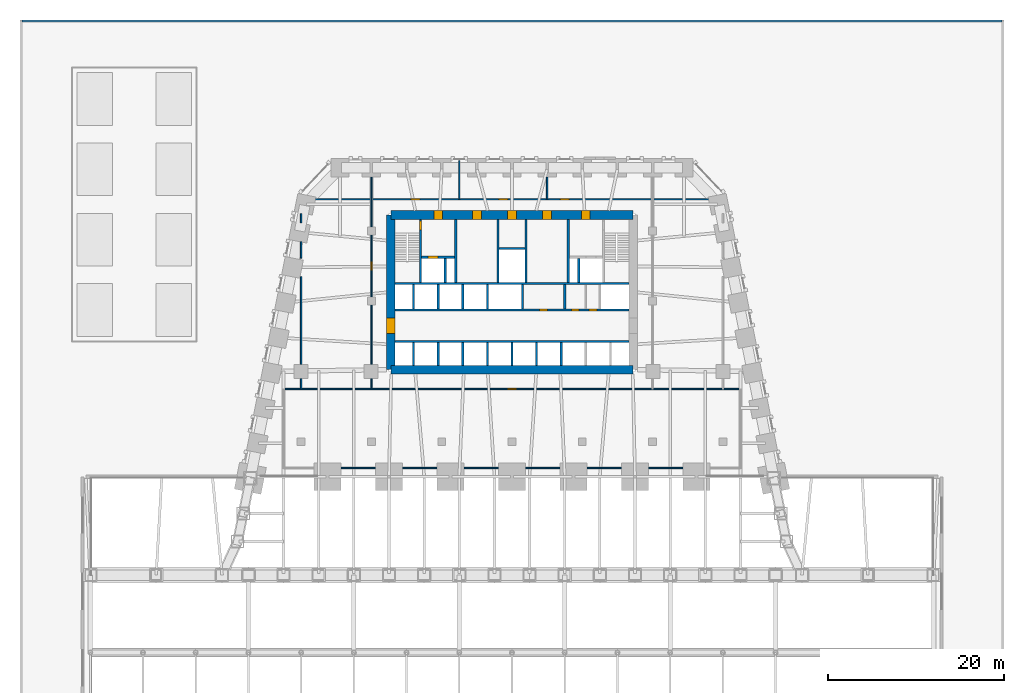
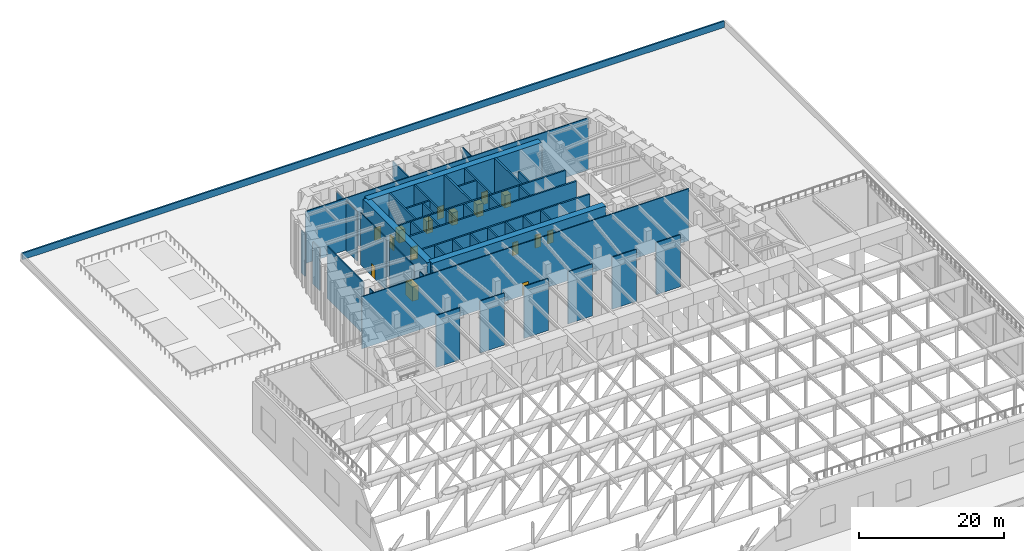
# One storey, part 15 of 20: 47 walls, 16 doors, 16 openings.
"""IFC4 building model written with IfcOpenShell, lengths in metres."""

import ifcopenshell
import ifcopenshell.guid

model = None  # the IFC model being written
_history = None  # IfcOwnerHistory: only IFC2X3 demands one
_inside = {}  # id of a spatial element -> (the spatial element, [elements in it])
_under = {}  # id of a project, library or spatial element -> (it, [spatial elements below it])
_declared = {}  # id of a project -> (the project, [libraries it declares])
_typed = {}  # id of a type object -> (the type object, [elements of that type])
_made_of = {}  # id of a material, layer set ... -> (it, [elements and type objects made of it])


def new_model(schema):
    """Start an empty IFC model of exactly this schema.

    Asked for "IFC4X3", IfcOpenShell would pick the latest addendum, in which some entities
    have other attributes; the version numbers below select the first issue.
    IFC2X3 requires an IfcOwnerHistory on every rooted entity: one is made here for all.
    """
    global model, _history
    if schema == "IFC4X3":
        model = ifcopenshell.file(schema_version=(4, 3, 0, 0))
    else:
        model = ifcopenshell.file(schema=schema)
    _inside.clear()
    _under.clear()
    _declared.clear()
    _typed.clear()
    _made_of.clear()
    _history = None
    if model.schema == "IFC2X3":
        org = make("IfcOrganization", Name="unknown")
        user = make(
            "IfcPersonAndOrganization",
            ThePerson=make("IfcPerson", FamilyName="unknown"),
            TheOrganization=org,
        )
        app = make(
            "IfcApplication",
            ApplicationDeveloper=org,
            Version="unknown",
            ApplicationFullName="unknown",
            ApplicationIdentifier="unknown",
        )
        _history = make(
            "IfcOwnerHistory",
            OwningUser=user,
            OwningApplication=app,
            ChangeAction="ADDED",
            CreationDate=0,
        )
    return model


def make(cls, **values):
    """One entity of the class cls with the attributes given. An attribute that is None is left unset."""
    return model.create_entity(
        cls, **{name: value for name, value in values.items() if value is not None}
    )


def rooted(cls, **values):
    """An entity with a GlobalId (a new one), such as an element, a storey or a relation."""
    return make(cls, GlobalId=ifcopenshell.guid.new(), OwnerHistory=_history, **values)


def si_unit(unit_type, name, prefix=None):
    """IfcSIUnit, for example si_unit("LENGTHUNIT", "METRE", prefix="MILLI")."""
    return make("IfcSIUnit", UnitType=unit_type, Prefix=prefix, Name=name)


def assignment(units):
    """IfcUnitAssignment: the units of a project."""
    return None if units is None else make("IfcUnitAssignment", Units=units)


def point(xyz):
    """IfcCartesianPoint."""
    return None if xyz is None else make("IfcCartesianPoint", Coordinates=xyz)


def direction(xyz):
    """IfcDirection."""
    return None if xyz is None else make("IfcDirection", DirectionRatios=xyz)


def frame(location, z_axis=None, x_axis=None):
    """IfcAxis2Placement3D, a coordinate frame: its origin and axes. An axis left out is left unset."""
    return make(
        "IfcAxis2Placement3D",
        Location=point(location),
        Axis=direction(z_axis),
        RefDirection=direction(x_axis),
    )


def frame_2d(location, x_axis=None):
    """IfcAxis2Placement2D, a coordinate frame in the plane: its origin and x axis."""
    return make(
        "IfcAxis2Placement2D", Location=point(location), RefDirection=direction(x_axis)
    )


def origin():
    """The frame at (0, 0, 0) with its axes left unset."""
    return frame((0.0, 0.0, 0.0))


def place(relative_to, where):
    """IfcLocalPlacement: puts the frame where relative to a parent placement (None: the world)."""
    return make(
        "IfcLocalPlacement", PlacementRelTo=relative_to, RelativePlacement=where
    )


def context(
    kind, dimensions, precision=None, world=None, true_north=None, identifier=None
):
    """IfcGeometricRepresentationContext, for example the 3D "Model" context."""
    return make(
        "IfcGeometricRepresentationContext",
        ContextIdentifier=identifier,
        ContextType=kind,
        CoordinateSpaceDimension=dimensions,
        Precision=precision,
        WorldCoordinateSystem=world,
        TrueNorth=true_north,
    )


def subcontext(parent, identifier, kind, view, scale=None):
    """IfcGeometricRepresentationSubContext, for example "Body" below "Model"."""
    return make(
        "IfcGeometricRepresentationSubContext",
        ContextIdentifier=identifier,
        ContextType=kind,
        ParentContext=parent,
        TargetScale=scale,
        TargetView=view,
    )


def project(units=None, contexts=None):
    """IfcProject with its units and contexts."""
    return rooted(
        "IfcProject",
        Name="project",
        RepresentationContexts=contexts,
        UnitsInContext=assignment(units),
    )


def spatial(cls, under=None, at=None, **own):
    """A site, building, storey or space (cls), placed at a placement, below another one or the project."""
    s = rooted(cls, ObjectPlacement=at, **own)
    if under is not None:
        _under.setdefault(under.id(), (under, []))[1].append(s)
    return s


def polyline(points):
    """IfcPolyline through the points."""
    return make("IfcPolyline", Points=[point(p) for p in points])


def profile(cls, at=None, kind="AREA", **sizes):
    """A parametric profile (cls). Its sizes go by their IFC names, for example OverallWidth=200.0."""
    return make(cls, ProfileType=kind, Position=at, **sizes)


def rectangle(**sizes):
    """IfcRectangleProfileDef."""
    return profile("IfcRectangleProfileDef", **sizes)


def outline(outer, holes=None, kind="AREA"):
    """IfcArbitraryClosedProfileDef: a profile drawn as a closed curve; with holes, ...WithVoids."""
    if holes is None:
        return make("IfcArbitraryClosedProfileDef", ProfileType=kind, OuterCurve=outer)
    return make(
        "IfcArbitraryProfileDefWithVoids",
        ProfileType=kind,
        OuterCurve=outer,
        InnerCurves=holes,
    )


def extrude(swept, where, along, depth):
    """IfcExtrudedAreaSolid: the profile swept, set in the frame where, extruded along a direction by depth."""
    return make(
        "IfcExtrudedAreaSolid",
        SweptArea=swept,
        Position=where,
        ExtrudedDirection=direction(along),
        Depth=depth,
    )


def shape(context_of_items, identifier, shape_type, items):
    """IfcShapeRepresentation: the items that make up one representation, for example the "Body"."""
    return make(
        "IfcShapeRepresentation",
        ContextOfItems=context_of_items,
        RepresentationIdentifier=identifier,
        RepresentationType=shape_type,
        Items=items,
    )


def material(Name=None, Category=None):
    """IfcMaterial."""
    return make("IfcMaterial", Name=Name, Category=Category)


def layer(
    of_material, thickness, ventilated=None, Name=None, Category=None, Priority=None
):
    """IfcMaterialLayer: one layer of a wall or slab, of a material (None: an air gap)."""
    return make(
        "IfcMaterialLayer",
        Material=of_material,
        LayerThickness=thickness,
        IsVentilated=ventilated,
        Name=Name,
        Category=Category,
        Priority=Priority,
    )


def layer_set(layers, Name=None):
    """IfcMaterialLayerSet."""
    return make("IfcMaterialLayerSet", MaterialLayers=layers, LayerSetName=Name)


def made_of(thing, what):
    """Note that an element or type object is made of a material, layer set ...; save() writes the relation."""
    if what is not None:
        _made_of.setdefault(what.id(), (what, []))[1].append(thing)
    return thing


def type_object(cls, material=None, **own):
    """A type object (cls), such as IfcWallType, which elements share."""
    return made_of(rooted(cls, **own), material)


def element(
    cls,
    number,
    at=None,
    inside=None,
    cuts=None,
    type_object=None,
    material=None,
    context=None,
    identifier="Body",
    shape_type=None,
    held_by="IfcProductDefinitionShape",
    body=None,
    shapes=None,
    **own,
):
    """One element of the class cls, such as IfcWall. Its Tag is "e" and its number.

    at: its placement. inside: the storey or other place that contains it. cuts: it is an
    opening in that element (IfcRelVoidsElement). A single representation is given by context,
    identifier, shape_type and body (its items); several are given by shapes. held_by: the class
    of the entity that holds the representations. save() writes the other relations.
    """
    e = rooted(cls, Tag="e%d" % number, ObjectPlacement=at, **own)
    if body is not None:
        shapes = [shape(context, identifier, shape_type, body)]
    if shapes is not None:
        e.Representation = make(held_by, Representations=shapes)
    if inside is not None:
        _inside.setdefault(inside.id(), (inside, []))[1].append(e)
    if cuts is not None:
        rooted(
            "IfcRelVoidsElement", RelatingBuildingElement=cuts, RelatedOpeningElement=e
        )
    if type_object is not None:
        _typed.setdefault(type_object.id(), (type_object, []))[1].append(e)
    return made_of(e, material)


def fill(opening, filler):
    """IfcRelFillsElement: the door or window that sits in an opening."""
    return rooted(
        "IfcRelFillsElement",
        RelatingOpeningElement=opening,
        RelatedBuildingElement=filler,
    )


def aggregate(whole, parts):
    """IfcRelAggregates: a whole, such as a stair, and the parts it consists of."""
    return rooted("IfcRelAggregates", RelatingObject=whole, RelatedObjects=parts)


def save(model, path):
    """Write the relations noted so far, then the file.

    IfcRelAggregates (storeys below a building ...), IfcRelContainedInSpatialStructure (elements
    in a storey), IfcRelDefinesByType, IfcRelAssociatesMaterial and IfcRelDeclares: one each for
    every whole, place, type object, material and project.
    """
    for whole, parts in _under.values():
        aggregate(whole, parts)
    for where, things in _inside.values():
        rooted(
            "IfcRelContainedInSpatialStructure",
            RelatedElements=things,
            RelatingStructure=where,
        )
    for kind, things in _typed.values():
        rooted("IfcRelDefinesByType", RelatedObjects=things, RelatingType=kind)
    for what, things in _made_of.values():
        rooted("IfcRelAssociatesMaterial", RelatedObjects=things, RelatingMaterial=what)
    for by, libraries in _declared.values():
        rooted("IfcRelDeclares", RelatingContext=by, RelatedDefinitions=libraries)
    model.write(path)


model = new_model("IFC4")

# Units and contexts
model_context = context("Model", 3, precision=1e-05, world=origin(), true_north=direction((0.0, 1.0)))
body_context = subcontext(model_context, "Body", "Model", "MODEL_VIEW")
ifc_project = project(units=[si_unit("LENGTHUNIT", "METRE"), si_unit("AREAUNIT", "SQUARE_METRE"), si_unit("VOLUMEUNIT", "CUBIC_METRE"), si_unit("PLANEANGLEUNIT", "RADIAN"), si_unit("MASSUNIT", "GRAM", prefix="KILO")], contexts=[model_context])

# Site, building, storey
site_placement = place(None, origin())
site = spatial("IfcSite", under=ifc_project, at=site_placement, CompositionType="ELEMENT")
building_placement = place(site_placement, origin())
building = spatial("IfcBuilding", under=site, at=building_placement, Name="Isbrekke Arena Tower", CompositionType="ELEMENT")
storey_placement = place(building_placement, frame((0.0, 0.0, 19.0)))
storey = spatial("IfcBuildingStorey", under=building, at=storey_placement, Name="L03", CompositionType="ELEMENT", Elevation=19.0)

# Wall
ifc_material_1 = material(Name="Concrete B65 (C65/80)", Category="concrete")
ifc_layer_1 = layer(ifc_material_1, 1.0)
ifc_layer_set_1 = layer_set([ifc_layer_1], Name="CW1 CORE WALL 1000")
wall_type_1 = type_object("IfcWallType", Name="CW1 CORE WALL 1000", PredefinedType="SHEAR", material=ifc_layer_set_1)
wall_1_placement = place(storey_placement, frame((-13.800048828125, 6.199951171875, 0.0), z_axis=(0.0, 0.0, 1.0), x_axis=(1.0, 0.0, 0.0)))
element("IfcWall", 1, at=wall_1_placement, inside=storey, type_object=wall_type_1, Name="Core wall S L03", PredefinedType="SHEAR", context=body_context, shape_type="SweptSolid", body=[
    extrude(rectangle(XDim=27.60009765625, YDim=1.0, at=frame_2d((13.800048828125, 0.0))), origin(), (0.0, 0.0, 1.0), 9.0),
])

# Wall, openings, doors
wall_2_placement = place(storey_placement, frame((13.800048828125, 23.800048828125, 0.0), z_axis=(0.0, 0.0, 1.0), x_axis=(-1.0, 0.0, 0.0)))
wall_2 = element("IfcWall", 2, at=wall_2_placement, inside=storey, type_object=wall_type_1, Name="Core wall N L03", PredefinedType="SHEAR", context=body_context, shape_type="SweptSolid", body=[
    extrude(rectangle(XDim=27.60009765625, YDim=1.0, at=frame_2d((13.800048828125, 0.0))), origin(), (0.0, 0.0, 1.0), 9.0),
])
opening_1_placement = place(wall_2_placement, frame((21.699951171875, 0.0, 0.0)))
opening_1 = element("IfcOpeningElement", 3, at=opening_1_placement, cuts=wall_2, Name="Opening D3", PredefinedType="OPENING", context=body_context, shape_type="SweptSolid", body=[
    extrude(rectangle(XDim=1.0, YDim=2.10009765625, at=frame_2d((0.5, 1.050048828125))), frame((0.0, 0.514892578125, 0.0), z_axis=(0.0, -1.0, 0.0), x_axis=(1.0, 0.0, 0.0)), (0.0, 0.0, 1.0), 1.02978515625),
])
opening_2_placement = place(wall_2_placement, frame((4.89990234375, 0.0, 0.0)))
opening_2 = element("IfcOpeningElement", 4, at=opening_2_placement, cuts=wall_2, Name="Opening D3", PredefinedType="OPENING", context=body_context, shape_type="SweptSolid", body=[
    extrude(rectangle(XDim=1.0, YDim=2.10009765625, at=frame_2d((0.5, 1.050048828125))), frame((0.0, 0.514892578125, 0.0), z_axis=(0.0, -1.0, 0.0), x_axis=(1.0, 0.0, 0.0)), (0.0, 0.0, 1.0), 1.02978515625),
])
opening_3_placement = place(wall_2_placement, frame((17.300048828125, 0.0, 0.0)))
opening_3 = element("IfcOpeningElement", 5, at=opening_3_placement, cuts=wall_2, Name="Opening D4", PredefinedType="OPENING", context=body_context, shape_type="SweptSolid", body=[
    extrude(rectangle(XDim=1.0, YDim=2.10009765625, at=frame_2d((0.5, 1.050048828125))), frame((0.0, 0.514892578125, 0.0), z_axis=(0.0, -1.0, 0.0), x_axis=(1.0, 0.0, 0.0)), (0.0, 0.0, 1.0), 1.02978515625),
])
opening_4_placement = place(wall_2_placement, frame((13.300048828125, 0.0, 0.0)))
opening_4 = element("IfcOpeningElement", 6, at=opening_4_placement, cuts=wall_2, Name="Opening D4", PredefinedType="OPENING", context=body_context, shape_type="SweptSolid", body=[
    extrude(rectangle(XDim=1.0, YDim=2.10009765625, at=frame_2d((0.5, 1.050048828125))), frame((0.0, 0.514892578125, 0.0), z_axis=(0.0, -1.0, 0.0), x_axis=(1.0, 0.0, 0.0)), (0.0, 0.0, 1.0), 1.02978515625),
])
opening_5_placement = place(wall_2_placement, frame((9.300048828125, 0.0, 0.0)))
opening_5 = element("IfcOpeningElement", 7, at=opening_5_placement, cuts=wall_2, Name="Opening D4", PredefinedType="OPENING", context=body_context, shape_type="SweptSolid", body=[
    extrude(rectangle(XDim=1.0, YDim=2.10009765625, at=frame_2d((0.5, 1.050048828125))), frame((0.0, 0.514892578125, 0.0), z_axis=(0.0, -1.0, 0.0), x_axis=(1.0, 0.0, 0.0)), (0.0, 0.0, 1.0), 1.02978515625),
])
ifc_material_2 = material(Name="Steel fire door", Category="steel")
door_type_1 = type_object("IfcDoorType", Name="D3 FIRE LOBBY DOOR 1000 x 2100", OperationType="SINGLE_SWING_RIGHT", PredefinedType="DOOR", material=ifc_material_2)
door_1_placement = place(opening_1_placement, origin())
door_1 = element("IfcDoor", 8, at=door_1_placement, inside=storey, type_object=door_type_1, Name="D3 fire-fighting lobby door L03", OperationType="SINGLE_SWING_RIGHT", OverallHeight=2.10009765625, OverallWidth=1.0, PredefinedType="DOOR", context=body_context, shape_type="SweptSolid", body=[
    extrude(rectangle(XDim=1.0, YDim=2.10009765625, at=frame_2d((0.5, 1.050048828125))), frame((0.0, 0.499755859375, 0.0), z_axis=(0.0, -1.0, 0.0), x_axis=(1.0, 0.0, 0.0)), (0.0, 0.0, 1.0), 0.99951171875),
])
fill(opening_1, door_1)
door_2_placement = place(opening_2_placement, origin())
door_2 = element("IfcDoor", 9, at=door_2_placement, inside=storey, type_object=door_type_1, Name="D3 fire-fighting lobby door L03", OperationType="SINGLE_SWING_RIGHT", OverallHeight=2.10009765625, OverallWidth=1.0, PredefinedType="DOOR", context=body_context, shape_type="SweptSolid", body=[
    extrude(rectangle(XDim=1.0, YDim=2.10009765625, at=frame_2d((0.5, 1.050048828125))), frame((0.0, 0.499755859375, 0.0), z_axis=(0.0, -1.0, 0.0), x_axis=(1.0, 0.0, 0.0)), (0.0, 0.0, 1.0), 0.99951171875),
])
fill(opening_2, door_2)
ifc_material_3 = material(Name="Timber door", Category="wood")
door_type_2 = type_object("IfcDoorType", Name="D4 WC DOOR 1000 x 2100", OperationType="SINGLE_SWING_LEFT", PredefinedType="DOOR", material=ifc_material_3)
door_3_placement = place(opening_3_placement, origin())
door_3 = element("IfcDoor", 10, at=door_3_placement, inside=storey, type_object=door_type_2, Name="D4 wc female door L03", OperationType="SINGLE_SWING_LEFT", OverallHeight=2.10009765625, OverallWidth=1.0, PredefinedType="DOOR", context=body_context, shape_type="SweptSolid", body=[
    extrude(rectangle(XDim=1.0, YDim=2.10009765625, at=frame_2d((0.5, 1.050048828125))), frame((0.0, 0.499755859375, 0.0), z_axis=(0.0, -1.0, 0.0), x_axis=(1.0, 0.0, 0.0)), (0.0, 0.0, 1.0), 0.99951171875),
])
fill(opening_3, door_3)
door_4_placement = place(opening_4_placement, origin())
door_4 = element("IfcDoor", 11, at=door_4_placement, inside=storey, type_object=door_type_2, Name="D4 accessible wc door L03", OperationType="SINGLE_SWING_LEFT", OverallHeight=2.10009765625, OverallWidth=1.0, PredefinedType="DOOR", context=body_context, shape_type="SweptSolid", body=[
    extrude(rectangle(XDim=1.0, YDim=2.10009765625, at=frame_2d((0.5, 1.050048828125))), frame((0.0, 0.499755859375, 0.0), z_axis=(0.0, -1.0, 0.0), x_axis=(1.0, 0.0, 0.0)), (0.0, 0.0, 1.0), 0.99951171875),
])
fill(opening_4, door_4)
door_5_placement = place(opening_5_placement, origin())
door_5 = element("IfcDoor", 12, at=door_5_placement, inside=storey, type_object=door_type_2, Name="D4 wc male door L03", OperationType="SINGLE_SWING_LEFT", OverallHeight=2.10009765625, OverallWidth=1.0, PredefinedType="DOOR", context=body_context, shape_type="SweptSolid", body=[
    extrude(rectangle(XDim=1.0, YDim=2.10009765625, at=frame_2d((0.5, 1.050048828125))), frame((0.0, 0.499755859375, 0.0), z_axis=(0.0, -1.0, 0.0), x_axis=(1.0, 0.0, 0.0)), (0.0, 0.0, 1.0), 0.99951171875),
])
fill(opening_5, door_5)

# Wall, opening, door
wall_3_placement = place(storey_placement, frame((-13.800048828125, 23.800048828125, 0.0), z_axis=(0.0, 0.0, 1.0), x_axis=(0.0, -1.0, 0.0)))
wall_3 = element("IfcWall", 13, at=wall_3_placement, inside=storey, type_object=wall_type_1, Name="Core wall W L03", PredefinedType="SHEAR", context=body_context, shape_type="SweptSolid", body=[
    extrude(outline(polyline([(0.0, -0.5), (17.60009765625, -0.5), (17.60009765625, 0.0), (17.10009765625, 0.0), (17.10009765625, 0.5), (0.5, 0.5), (0.5, 0.0), (0.0, 0.0), (0.0, -0.5)])), origin(), (0.0, 0.0, 1.0), 9.0),
])
opening_6_placement = place(wall_3_placement, frame((11.699951171875, 0.0, 0.0)))
opening_6 = element("IfcOpeningElement", 14, at=opening_6_placement, cuts=wall_3, Name="Opening D1", PredefinedType="OPENING", context=body_context, shape_type="SweptSolid", body=[
    extrude(rectangle(XDim=1.800048828125, YDim=2.39990234375, at=frame_2d((0.89990234375, 1.199951171875))), frame((0.0, 0.514892578125, 0.0), z_axis=(0.0, -1.0, 0.0), x_axis=(1.0, 0.0, 0.0)), (0.0, 0.0, 1.0), 1.02978515625),
])
ifc_material_4 = material(Name="Steel-framed glazed fire door", Category="steel")
door_type_3 = type_object("IfcDoorType", Name="D1 CORE LOBBY DOOR 1800 x 2400", OperationType="DOUBLE_DOOR_SINGLE_SWING", PredefinedType="DOOR", material=ifc_material_4)
door_6_placement = place(opening_6_placement, origin())
door_6 = element("IfcDoor", 15, at=door_6_placement, inside=storey, type_object=door_type_3, Name="D1 lift lobby door west L03", OperationType="DOUBLE_DOOR_SINGLE_SWING", OverallHeight=2.39990234375, OverallWidth=1.800048828125, PredefinedType="DOOR", context=body_context, shape_type="SweptSolid", body=[
    extrude(rectangle(XDim=1.800048828125, YDim=2.39990234375, at=frame_2d((0.89990234375, 1.199951171875))), frame((0.0, 0.499755859375, 0.0), z_axis=(0.0, -1.0, 0.0), x_axis=(1.0, 0.0, 0.0)), (0.0, 0.0, 1.0), 0.99951171875),
])
fill(opening_6, door_6)

# Wall
ifc_material_5 = material(Name="Concrete B45 (C45/55)", Category="concrete")
ifc_layer_2 = layer(ifc_material_5, 0.25)
ifc_layer_set_2 = layer_set([ifc_layer_2], Name="CW6 SHAFT WALL 250")
wall_type_2 = type_object("IfcWallType", Name="CW6 SHAFT WALL 250", PredefinedType="SHEAR", material=ifc_layer_set_2)
wall_4_placement = place(storey_placement, frame((-13.300048828125, 9.39990234375, 0.0), z_axis=(0.0, 0.0, 1.0), x_axis=(1.0, 0.0, 0.0)))
element("IfcWall", 16, at=wall_4_placement, inside=storey, type_object=wall_type_2, Name="Core wall LS L03", PredefinedType="SHEAR", context=body_context, shape_type="SweptSolid", body=[
    extrude(rectangle(XDim=26.60009765625, YDim=0.25, at=frame_2d((13.300048828125, 0.0))), origin(), (0.0, 0.0, 1.0), 9.0),
])

# Wall, openings, doors
wall_5_placement = place(storey_placement, frame((-13.300048828125, 13.0, 0.0), z_axis=(0.0, 0.0, 1.0), x_axis=(1.0, 0.0, 0.0)))
wall_5 = element("IfcWall", 17, at=wall_5_placement, inside=storey, type_object=wall_type_2, Name="Core wall LN L03", PredefinedType="SHEAR", context=body_context, shape_type="SweptSolid", body=[
    extrude(rectangle(XDim=26.60009765625, YDim=0.25, at=frame_2d((13.300048828125, 0.0))), origin(), (0.0, 0.0, 1.0), 9.0),
])
opening_7_placement = place(wall_5_placement, frame((16.449951171875, 0.0, 0.0)))
opening_7 = element("IfcOpeningElement", 18, at=opening_7_placement, cuts=wall_5, Name="Opening D5", PredefinedType="OPENING", context=body_context, shape_type="SweptSolid", body=[
    extrude(rectangle(XDim=0.89990234375, YDim=2.10009765625, at=frame_2d((0.449951171875, 1.050048828125))), frame((0.0, 0.139892578125, 0.0), z_axis=(0.0, -1.0, 0.0), x_axis=(1.0, 0.0, 0.0)), (0.0, 0.0, 1.0), 0.27978515625),
])
opening_8_placement = place(wall_5_placement, frame((20.050048828125, 0.0, 0.0)))
opening_8 = element("IfcOpeningElement", 19, at=opening_8_placement, cuts=wall_5, Name="Opening D5", PredefinedType="OPENING", context=body_context, shape_type="SweptSolid", body=[
    extrude(rectangle(XDim=0.89990234375, YDim=2.10009765625, at=frame_2d((0.449951171875, 1.050048828125))), frame((0.0, 0.139892578125, 0.0), z_axis=(0.0, -1.0, 0.0), x_axis=(1.0, 0.0, 0.0)), (0.0, 0.0, 1.0), 0.27978515625),
])
opening_9_placement = place(wall_5_placement, frame((22.050048828125, 0.0, 0.0)))
opening_9 = element("IfcOpeningElement", 20, at=opening_9_placement, cuts=wall_5, Name="Opening D5", PredefinedType="OPENING", context=body_context, shape_type="SweptSolid", body=[
    extrude(rectangle(XDim=0.89990234375, YDim=2.10009765625, at=frame_2d((0.449951171875, 1.050048828125))), frame((0.0, 0.139892578125, 0.0), z_axis=(0.0, -1.0, 0.0), x_axis=(1.0, 0.0, 0.0)), (0.0, 0.0, 1.0), 0.27978515625),
])
ifc_material_6 = material(Name="Steel fire door", Category="steel")
door_type_4 = type_object("IfcDoorType", Name="D5 SERVICE DOOR 900 x 2100", OperationType="SINGLE_SWING_LEFT", PredefinedType="DOOR", material=ifc_material_6)
door_7_placement = place(opening_7_placement, origin())
door_7 = element("IfcDoor", 21, at=door_7_placement, inside=storey, type_object=door_type_4, Name="D5 tenant store door L03", OperationType="SINGLE_SWING_LEFT", OverallHeight=2.10009765625, OverallWidth=0.89990234375, PredefinedType="DOOR", context=body_context, shape_type="SweptSolid", body=[
    extrude(rectangle(XDim=0.89990234375, YDim=2.10009765625, at=frame_2d((0.449951171875, 1.050048828125))), frame((0.0, 0.124755859375, 0.0), z_axis=(0.0, -1.0, 0.0), x_axis=(1.0, 0.0, 0.0)), (0.0, 0.0, 1.0), 0.24951171875),
])
fill(opening_7, door_7)
door_8_placement = place(opening_8_placement, origin())
door_8 = element("IfcDoor", 22, at=door_8_placement, inside=storey, type_object=door_type_4, Name="D5 communications room door L03", OperationType="SINGLE_SWING_LEFT", OverallHeight=2.10009765625, OverallWidth=0.89990234375, PredefinedType="DOOR", context=body_context, shape_type="SweptSolid", body=[
    extrude(rectangle(XDim=0.89990234375, YDim=2.10009765625, at=frame_2d((0.449951171875, 1.050048828125))), frame((0.0, 0.124755859375, 0.0), z_axis=(0.0, -1.0, 0.0), x_axis=(1.0, 0.0, 0.0)), (0.0, 0.0, 1.0), 0.24951171875),
])
fill(opening_8, door_8)
door_9_placement = place(opening_9_placement, origin())
door_9 = element("IfcDoor", 23, at=door_9_placement, inside=storey, type_object=door_type_4, Name="D5 cleaner's store door L03", OperationType="SINGLE_SWING_LEFT", OverallHeight=2.10009765625, OverallWidth=0.89990234375, PredefinedType="DOOR", context=body_context, shape_type="SweptSolid", body=[
    extrude(rectangle(XDim=0.89990234375, YDim=2.10009765625, at=frame_2d((0.449951171875, 1.050048828125))), frame((0.0, 0.124755859375, 0.0), z_axis=(0.0, -1.0, 0.0), x_axis=(1.0, 0.0, 0.0)), (0.0, 0.0, 1.0), 0.24951171875),
])
fill(opening_9, door_9)

# Walls
wall_6_placement = place(storey_placement, frame((-13.300048828125, 16.0, 0.0), z_axis=(0.0, 0.0, 1.0), x_axis=(1.0, 0.0, 0.0)))
element("IfcWall", 24, at=wall_6_placement, inside=storey, type_object=wall_type_2, Name="Core wall NB L03", PredefinedType="SHEAR", context=body_context, shape_type="SweptSolid", body=[
    extrude(rectangle(XDim=26.60009765625, YDim=0.25, at=frame_2d((13.300048828125, 0.0))), origin(), (0.0, 0.0, 1.0), 9.0),
])
for number, where, z_axis, x_axis, name in (
    (25, (-11.199951171875, 6.699951171875, 0.0), (0.0, 0.0, 1.0), (0.0, 1.0, 0.0), "Core wall SS01 L03"),
    (26, (-8.39990234375, 6.699951171875, 0.0), (0.0, 0.0, 1.0), (0.0, 1.0, 0.0), "Core wall SS02 L03"),
    (27, (-5.60009765625, 6.699951171875, 0.0), (0.0, 0.0, 1.0), (0.0, 1.0, 0.0), "Core wall SS03 L03"),
    (28, (-2.800048828125, 6.699951171875, 0.0), (0.0, 0.0, 1.0), (0.0, 1.0, 0.0), "Core wall SS04 L03"),
    (29, (0.0, 6.699951171875, 0.0), (0.0, 0.0, 1.0), (0.0, 1.0, 0.0), "Core wall SS05 L03"),
    (30, (2.800048828125, 6.699951171875, 0.0), (0.0, 0.0, 1.0), (0.0, 1.0, 0.0), "Core wall SS06 L03"),
    (31, (5.60009765625, 6.699951171875, 0.0), (0.0, 0.0, 1.0), (0.0, 1.0, 0.0), "Core wall SS07 L03"),
):
    element("IfcWall", number, at=place(storey_placement, frame(where, z_axis=z_axis, x_axis=x_axis)), inside=storey, type_object=wall_type_2, Name=name, PredefinedType="SHEAR", context=body_context, shape_type="SweptSolid", body=[
        extrude(rectangle(XDim=2.574951171875, YDim=0.25, at=frame_2d((1.28759765625, 0.0))), origin(), (0.0, 0.0, 1.0), 9.0),
    ])
for number, where, z_axis, x_axis, name in (
    (32, (-11.199951171875, 13.125, 0.0), (0.0, 0.0, 1.0), (0.0, 1.0, 0.0), "Core wall SN01 L03"),
    (33, (-8.39990234375, 13.125, 0.0), (0.0, 0.0, 1.0), (0.0, 1.0, 0.0), "Core wall SN02 L03"),
    (34, (-5.60009765625, 13.125, 0.0), (0.0, 0.0, 1.0), (0.0, 1.0, 0.0), "Core wall SN03 L03"),
    (35, (-2.800048828125, 13.125, 0.0), (0.0, 0.0, 1.0), (0.0, 1.0, 0.0), "Core wall SN04 L03"),
    (36, (1.199951171875, 13.125, 0.0), (0.0, 0.0, 1.0), (0.0, 1.0, 0.0), "Core wall SN05 L03"),
    (37, (6.0, 13.125, 0.0), (0.0, 0.0, 1.0), (0.0, 1.0, 0.0), "Core wall SN06 L03"),
):
    element("IfcWall", number, at=place(storey_placement, frame(where, z_axis=z_axis, x_axis=x_axis)), inside=storey, type_object=wall_type_2, Name=name, PredefinedType="SHEAR", context=body_context, shape_type="SweptSolid", body=[
        extrude(rectangle(XDim=2.75, YDim=0.25, at=frame_2d((1.375, 0.0))), origin(), (0.0, 0.0, 1.0), 9.0),
    ])

# Wall, opening, door
wall_7_placement = place(storey_placement, frame((-10.39990234375, 16.125, 0.0), z_axis=(0.0, 0.0, 1.0), x_axis=(0.0, 1.0, 0.0)))
wall_7 = element("IfcWall", 38, at=wall_7_placement, inside=storey, type_object=wall_type_2, Name="Core wall NV01 L03", PredefinedType="SHEAR", context=body_context, shape_type="SweptSolid", body=[
    extrude(rectangle(XDim=7.175048828125, YDim=0.25, at=frame_2d((3.58740234375, 0.0))), origin(), (0.0, 0.0, 1.0), 9.0),
])
opening_10_placement = place(wall_7_placement, frame((5.97509765625, 0.0, 0.0)))
opening_10 = element("IfcOpeningElement", 39, at=opening_10_placement, cuts=wall_7, Name="Opening D2", PredefinedType="OPENING", context=body_context, shape_type="SweptSolid", body=[
    extrude(rectangle(XDim=1.0, YDim=2.10009765625, at=frame_2d((0.5, 1.050048828125))), frame((0.0, 0.139892578125, 0.0), z_axis=(0.0, -1.0, 0.0), x_axis=(1.0, 0.0, 0.0)), (0.0, 0.0, 1.0), 0.27978515625),
])
ifc_material_7 = material(Name="Steel fire door", Category="steel")
door_type_5 = type_object("IfcDoorType", Name="D2 STAIR DOOR 1000 x 2100", OperationType="SINGLE_SWING_LEFT", PredefinedType="DOOR", material=ifc_material_7)
door_10_placement = place(opening_10_placement, origin())
door_10 = element("IfcDoor", 40, at=door_10_placement, inside=storey, type_object=door_type_5, Name="D2 stair door ST1 L03", OperationType="SINGLE_SWING_LEFT", OverallHeight=2.10009765625, OverallWidth=1.0, PredefinedType="DOOR", context=body_context, shape_type="SweptSolid", body=[
    extrude(rectangle(XDim=1.0, YDim=2.10009765625, at=frame_2d((0.5, 1.050048828125))), frame((0.0, 0.124755859375, 0.0), z_axis=(0.0, -1.0, 0.0), x_axis=(1.0, 0.0, 0.0)), (0.0, 0.0, 1.0), 0.24951171875),
])
fill(opening_10, door_10)

# Walls
for number, where, z_axis, x_axis, name in (
    (41, (-6.39990234375, 16.125, 0.0), (0.0, 0.0, 1.0), (0.0, 1.0, 0.0), "Core wall NV02 L03"),
    (42, (-1.60009765625, 16.125, 0.0), (0.0, 0.0, 1.0), (0.0, 1.0, 0.0), "Core wall NV03 L03"),
    (43, (1.60009765625, 16.125, 0.0), (0.0, 0.0, 1.0), (0.0, 1.0, 0.0), "Core wall NV04 L03"),
    (44, (6.39990234375, 16.125, 0.0), (0.0, 0.0, 1.0), (0.0, 1.0, 0.0), "Core wall NV05 L03"),
):
    element("IfcWall", number, at=place(storey_placement, frame(where, z_axis=z_axis, x_axis=x_axis)), inside=storey, type_object=wall_type_2, Name=name, PredefinedType="SHEAR", context=body_context, shape_type="SweptSolid", body=[
        extrude(rectangle(XDim=7.175048828125, YDim=0.25, at=frame_2d((3.58740234375, 0.0))), origin(), (0.0, 0.0, 1.0), 9.0),
    ])

# Wall, opening, door
wall_8_placement = place(storey_placement, frame((-10.27490234375, 19.0, 0.0), z_axis=(0.0, 0.0, 1.0), x_axis=(1.0, 0.0, 0.0)))
wall_8 = element("IfcWall", 45, at=wall_8_placement, inside=storey, type_object=wall_type_2, Name="Core wall NFW L03", PredefinedType="SHEAR", context=body_context, shape_type="SweptSolid", body=[
    extrude(rectangle(XDim=3.75, YDim=0.25, at=frame_2d((1.875, 0.0))), origin(), (0.0, 0.0, 1.0), 9.0),
])
opening_11_placement = place(wall_8_placement, frame((0.72509765625, 0.0, 0.0)))
opening_11 = element("IfcOpeningElement", 46, at=opening_11_placement, cuts=wall_8, Name="Opening LD2", PredefinedType="OPENING", context=body_context, shape_type="SweptSolid", body=[
    extrude(rectangle(XDim=1.10009765625, YDim=2.10009765625, at=frame_2d((0.550048828125, 1.050048828125))), frame((0.0, 0.139892578125, 0.0), z_axis=(0.0, -1.0, 0.0), x_axis=(1.0, 0.0, 0.0)), (0.0, 0.0, 1.0), 0.27978515625),
])
ifc_material_8 = material(Name="Stainless steel lift landing door", Category="steel")
door_type_6 = type_object("IfcDoorType", Name="LD2 FIRE-FIGHTING LIFT LANDING DOOR 1100 x 2100", OperationType="SLIDING_TO_RIGHT", PredefinedType="DOOR", material=ifc_material_8)
door_11_placement = place(opening_11_placement, origin())
door_11 = element("IfcDoor", 47, at=door_11_placement, inside=storey, type_object=door_type_6, Name="LD2 lift landing door LF L03", OperationType="SLIDING_TO_RIGHT", OverallHeight=2.10009765625, OverallWidth=1.10009765625, PredefinedType="DOOR", context=body_context, shape_type="SweptSolid", body=[
    extrude(rectangle(XDim=1.10009765625, YDim=2.10009765625, at=frame_2d((0.550048828125, 1.050048828125))), frame((0.0, 0.124755859375, 0.0), z_axis=(0.0, -1.0, 0.0), x_axis=(1.0, 0.0, 0.0)), (0.0, 0.0, 1.0), 0.24951171875),
])
fill(opening_11, door_11)

# Walls
for number, where, z_axis, x_axis, name in (
    (48, (-7.60009765625, 16.125, 0.0), (0.0, 0.0, 1.0), (0.0, 1.0, 0.0), "Core wall NFS1 L03"),
    (49, (7.60009765625, 16.125, 0.0), (0.0, 0.0, 1.0), (0.0, 1.0, 0.0), "Core wall NFS2 L03"),
):
    element("IfcWall", number, at=place(storey_placement, frame(where, z_axis=z_axis, x_axis=x_axis)), inside=storey, type_object=wall_type_2, Name=name, PredefinedType="SHEAR", context=body_context, shape_type="SweptSolid", body=[
        extrude(rectangle(XDim=2.75, YDim=0.25, at=frame_2d((1.375, 0.0))), origin(), (0.0, 0.0, 1.0), 9.0),
    ])
wall_9_placement = place(storey_placement, frame((-1.47509765625, 20.0, 0.0), z_axis=(0.0, 0.0, 1.0), x_axis=(1.0, 0.0, 0.0)))
element("IfcWall", 50, at=wall_9_placement, inside=storey, type_object=wall_type_2, Name="Core wall NWC L03", PredefinedType="SHEAR", context=body_context, shape_type="SweptSolid", body=[
    extrude(rectangle(XDim=2.9501953125, YDim=0.25, at=frame_2d((1.47509765625, 0.0))), origin(), (0.0, 0.0, 1.0), 9.0),
])
ifc_material_9 = material(Name="Gypsum board partition on steel studs", Category="steel")
ifc_layer_3 = layer(ifc_material_9, 0.14990234375)
ifc_layer_set_3 = layer_set([ifc_layer_3], Name="IW1 PARTITION 150")
wall_type_3 = type_object("IfcWallType", Name="IW1 PARTITION 150", PredefinedType="PARTITIONING", material=ifc_layer_set_3)
wall_10_placement = place(storey_placement, frame((-24.0, 4.0, 0.0), z_axis=(0.0, 0.0, 1.0), x_axis=(0.0, 1.0, 0.0)))
element("IfcWall", 51, at=wall_10_placement, inside=storey, type_object=wall_type_3, Name="IW1 partition L03", PredefinedType="PARTITIONING", context=body_context, shape_type="SweptSolid", body=[
    extrude(rectangle(XDim=1.18994140625, YDim=0.14990234375, at=frame_2d((0.594970703125, 0.0))), origin(), (0.0, 0.0, 1.0), 8.75),
])
wall_11_placement = place(storey_placement, frame((-24.0, 6.81005859375, 0.0), z_axis=(0.0, 0.0, 1.0), x_axis=(0.0, 1.0, 0.0)))
element("IfcWall", 52, at=wall_11_placement, inside=storey, type_object=wall_type_3, Name="IW1 partition L03", PredefinedType="PARTITIONING", context=body_context, shape_type="SweptSolid", body=[
    extrude(rectangle(XDim=9.96826171875, YDim=0.14990234375, at=frame_2d((4.984130859375, 0.0))), origin(), (0.0, 0.0, 1.0), 8.75),
])
wall_12_placement = place(storey_placement, frame((-24.0, 18.898193359375, 0.0), z_axis=(0.0, 0.0, 1.0), x_axis=(0.0, 1.0, 0.0)))
element("IfcWall", 53, at=wall_12_placement, inside=storey, type_object=wall_type_3, Name="IW1 partition L03", PredefinedType="PARTITIONING", context=body_context, shape_type="SweptSolid", body=[
    extrude(rectangle(XDim=1.880126953125, YDim=0.14990234375, at=frame_2d((0.93994140625, 0.0))), origin(), (0.0, 0.0, 1.0), 7.10009765625),
])
wall_13_placement = place(storey_placement, frame((-24.0, 22.898193359375, 0.0), z_axis=(0.0, 0.0, 1.0), x_axis=(0.0, 1.0, 0.0)))
element("IfcWall", 54, at=wall_13_placement, inside=storey, type_object=wall_type_3, Name="IW1 partition L03", PredefinedType="PARTITIONING", context=body_context, shape_type="SweptSolid", body=[
    extrude(rectangle(XDim=1.071044921875, YDim=0.14990234375, at=frame_2d((0.53564453125, 0.0))), origin(), (0.0, 0.0, 1.0), 7.10009765625),
])
wall_14_placement = place(storey_placement, frame((-16.0, 4.0, 0.0), z_axis=(0.0, 0.0, 1.0), x_axis=(0.0, 1.0, 0.0)))
element("IfcWall", 55, at=wall_14_placement, inside=storey, type_object=wall_type_3, Name="IW1 partition L03", PredefinedType="PARTITIONING", context=body_context, shape_type="SweptSolid", body=[
    extrude(rectangle(XDim=1.18994140625, YDim=0.14990234375, at=frame_2d((0.594970703125, 0.0))), origin(), (0.0, 0.0, 1.0), 8.75),
])
wall_15_placement = place(storey_placement, frame((-16.0, 6.81005859375, 0.0), z_axis=(0.0, 0.0, 1.0), x_axis=(0.0, 1.0, 0.0)))
element("IfcWall", 56, at=wall_15_placement, inside=storey, type_object=wall_type_3, Name="IW1 partition L03", PredefinedType="PARTITIONING", context=body_context, shape_type="SweptSolid", body=[
    extrude(rectangle(XDim=6.72998046875, YDim=0.14990234375, at=frame_2d((3.364990234375, 0.0))), origin(), (0.0, 0.0, 1.0), 8.75),
])

# Wall, opening, door
wall_16_placement = place(storey_placement, frame((-16.0, 14.4599609375, 0.0), z_axis=(0.0, 0.0, 1.0), x_axis=(0.0, 1.0, 0.0)))
wall_16 = element("IfcWall", 57, at=wall_16_placement, inside=storey, type_object=wall_type_3, Name="IW1 partition L03", PredefinedType="PARTITIONING", context=body_context, shape_type="SweptSolid", body=[
    extrude(rectangle(XDim=7.080078125, YDim=0.14990234375, at=frame_2d((3.5400390625, 0.0))), origin(), (0.0, 0.0, 1.0), 8.75),
])
opening_12_placement = place(wall_16_placement, frame((3.0400390625, 0.0, 0.0)))
opening_12 = element("IfcOpeningElement", 58, at=opening_12_placement, cuts=wall_16, Name="Opening D6", PredefinedType="OPENING", context=body_context, shape_type="SweptSolid", body=[
    extrude(rectangle(XDim=1.0, YDim=2.10009765625, at=frame_2d((0.5, 1.050048828125))), frame((0.0, 0.08984375, 0.0), z_axis=(0.0, -1.0, 0.0), x_axis=(1.0, 0.0, 0.0)), (0.0, 0.0, 1.0), 0.1796875),
])
ifc_material_10 = material(Name="Timber door", Category="wood")
door_type_7 = type_object("IfcDoorType", Name="D6 ROOM DOOR 1000 x 2100", OperationType="SINGLE_SWING_LEFT", PredefinedType="DOOR", material=ifc_material_10)
door_12_placement = place(opening_12_placement, origin())
door_12 = element("IfcDoor", 59, at=door_12_placement, inside=storey, type_object=door_type_7, Name="D6 door L03-02", OperationType="SINGLE_SWING_LEFT", OverallHeight=2.10009765625, OverallWidth=1.0, PredefinedType="DOOR", context=body_context, shape_type="SweptSolid", body=[
    extrude(rectangle(XDim=1.0, YDim=2.10009765625, at=frame_2d((0.5, 1.050048828125))), frame((0.0, 0.07470703125, 0.0), z_axis=(0.0, -1.0, 0.0), x_axis=(1.0, 0.0, 0.0)), (0.0, 0.0, 1.0), 0.1494140625),
])
fill(opening_12, door_12)

# Walls
wall_17_placement = place(storey_placement, frame((-16.0, 22.4599609375, 0.0), z_axis=(0.0, 0.0, 1.0), x_axis=(0.0, 1.0, 0.0)))
element("IfcWall", 60, at=wall_17_placement, inside=storey, type_object=wall_type_3, Name="IW1 partition L03", PredefinedType="PARTITIONING", context=body_context, shape_type="SweptSolid", body=[
    extrude(rectangle(XDim=5.655029296875, YDim=0.14990234375, at=frame_2d((2.82763671875, 0.0))), origin(), (0.0, 0.0, 1.0), 8.31689453125),
])
wall_18_placement = place(storey_placement, frame((-6.0, 25.60009765625, 0.0), z_axis=(0.0, 0.0, 1.0), x_axis=(0.0, 1.0, 0.0)))
element("IfcWall", 61, at=wall_18_placement, inside=storey, type_object=wall_type_3, Name="IW1 partition L03", PredefinedType="PARTITIONING", context=body_context, shape_type="SweptSolid", body=[
    extrude(rectangle(XDim=4.39990234375, YDim=0.14990234375, at=frame_2d((2.199951171875, 0.0))), origin(), (0.0, 0.0, 1.0), 8.75),
])
wall_19_placement = place(storey_placement, frame((4.0, 25.60009765625, 0.0), z_axis=(0.0, 0.0, 1.0), x_axis=(0.0, 1.0, 0.0)))
element("IfcWall", 62, at=wall_19_placement, inside=storey, type_object=wall_type_3, Name="IW1 partition L03", PredefinedType="PARTITIONING", context=body_context, shape_type="SweptSolid", body=[
    extrude(rectangle(XDim=2.514892578125, YDim=0.14990234375, at=frame_2d((1.25732421875, 0.0))), origin(), (0.0, 0.0, 1.0), 8.75),
])
for number, where, z_axis, x_axis, name in (
    (63, (-19.43994140625, -5.0, 0.0), (0.0, 0.0, 1.0), (1.0, 0.0, 0.0), "IW1 partition L03"),
    (64, (-12.43994140625, -5.0, 0.0), (0.0, 0.0, 1.0), (1.0, 0.0, 0.0), "IW1 partition L03"),
    (65, (-5.43994140625, -5.0, 0.0), (0.0, 0.0, 1.0), (1.0, 0.0, 0.0), "IW1 partition L03"),
    (66, (1.56005859375, -5.0, 0.0), (0.0, 0.0, 1.0), (1.0, 0.0, 0.0), "IW1 partition L03"),
    (67, (8.56005859375, -5.0, 0.0), (0.0, 0.0, 1.0), (1.0, 0.0, 0.0), "IW1 partition L03"),
    (68, (15.56005859375, -5.0, 0.0), (0.0, 0.0, 1.0), (1.0, 0.0, 0.0), "IW1 partition L03"),
):
    element("IfcWall", number, at=place(storey_placement, frame(where, z_axis=z_axis, x_axis=x_axis)), inside=storey, type_object=wall_type_3, Name=name, PredefinedType="PARTITIONING", context=body_context, shape_type="SweptSolid", body=[
        extrude(rectangle(XDim=3.8798828125, YDim=0.14990234375, at=frame_2d((1.93994140625, 0.0))), origin(), (0.0, 0.0, 1.0), 8.75),
    ])

# Wall, opening, door
wall_20_placement = place(storey_placement, frame((-26.0, 4.0, 0.0), z_axis=(0.0, 0.0, 1.0), x_axis=(1.0, 0.0, 0.0)))
wall_20 = element("IfcWall", 69, at=wall_20_placement, inside=storey, type_object=wall_type_3, Name="IW1 partition L03", PredefinedType="PARTITIONING", context=body_context, shape_type="SweptSolid", body=[
    extrude(rectangle(XDim=52.0, YDim=0.14990234375, at=frame_2d((26.0, 0.0))), origin(), (0.0, 0.0, 1.0), 8.75),
])
opening_13_placement = place(wall_20_placement, frame((25.5, 0.0, 0.0)))
opening_13 = element("IfcOpeningElement", 70, at=opening_13_placement, cuts=wall_20, Name="Opening D6", PredefinedType="OPENING", context=body_context, shape_type="SweptSolid", body=[
    extrude(rectangle(XDim=1.0, YDim=2.10009765625, at=frame_2d((0.5, 1.050048828125))), frame((0.0, 0.08984375, 0.0), z_axis=(0.0, -1.0, 0.0), x_axis=(1.0, 0.0, 0.0)), (0.0, 0.0, 1.0), 0.1796875),
])
door_13_placement = place(opening_13_placement, origin())
door_13 = element("IfcDoor", 71, at=door_13_placement, inside=storey, type_object=door_type_7, Name="D6 door L03-03", OperationType="SINGLE_SWING_LEFT", OverallHeight=2.10009765625, OverallWidth=1.0, PredefinedType="DOOR", context=body_context, shape_type="SweptSolid", body=[
    extrude(rectangle(XDim=1.0, YDim=2.10009765625, at=frame_2d((0.5, 1.050048828125))), frame((0.0, 0.07470703125, 0.0), z_axis=(0.0, -1.0, 0.0), x_axis=(1.0, 0.0, 0.0)), (0.0, 0.0, 1.0), 0.1494140625),
])
fill(opening_13, door_13)

# Wall, openings, doors
wall_21_placement = place(storey_placement, frame((-22.492919921875, 25.60009765625, 0.0), z_axis=(0.0, 0.0, 1.0), x_axis=(1.0, 0.0, 0.0)))
wall_21 = element("IfcWall", 72, at=wall_21_placement, inside=storey, type_object=wall_type_3, Name="IW1 partition L03", PredefinedType="PARTITIONING", context=body_context, shape_type="SweptSolid", body=[
    extrude(rectangle(XDim=44.98583984375, YDim=0.14990234375, at=frame_2d((22.492919921875, 0.0))), origin(), (0.0, 0.0, 1.0), 8.75),
])
opening_14_placement = place(wall_21_placement, frame((10.992919921875, 0.0, 0.0)))
opening_14 = element("IfcOpeningElement", 73, at=opening_14_placement, cuts=wall_21, Name="Opening D6", PredefinedType="OPENING", context=body_context, shape_type="SweptSolid", body=[
    extrude(rectangle(XDim=1.0, YDim=2.10009765625, at=frame_2d((0.5, 1.050048828125))), frame((0.0, 0.08984375, 0.0), z_axis=(0.0, -1.0, 0.0), x_axis=(1.0, 0.0, 0.0)), (0.0, 0.0, 1.0), 0.1796875),
])
opening_15_placement = place(wall_21_placement, frame((20.992919921875, 0.0, 0.0)))
opening_15 = element("IfcOpeningElement", 74, at=opening_15_placement, cuts=wall_21, Name="Opening D6", PredefinedType="OPENING", context=body_context, shape_type="SweptSolid", body=[
    extrude(rectangle(XDim=1.0, YDim=2.10009765625, at=frame_2d((0.5, 1.050048828125))), frame((0.0, 0.08984375, 0.0), z_axis=(0.0, -1.0, 0.0), x_axis=(1.0, 0.0, 0.0)), (0.0, 0.0, 1.0), 0.1796875),
])
opening_16_placement = place(wall_21_placement, frame((27.992919921875, 0.0, 0.0)))
opening_16 = element("IfcOpeningElement", 75, at=opening_16_placement, cuts=wall_21, Name="Opening D6", PredefinedType="OPENING", context=body_context, shape_type="SweptSolid", body=[
    extrude(rectangle(XDim=1.0, YDim=2.10009765625, at=frame_2d((0.5, 1.050048828125))), frame((0.0, 0.08984375, 0.0), z_axis=(0.0, -1.0, 0.0), x_axis=(1.0, 0.0, 0.0)), (0.0, 0.0, 1.0), 0.1796875),
])
door_14_placement = place(opening_14_placement, origin())
door_14 = element("IfcDoor", 76, at=door_14_placement, inside=storey, type_object=door_type_7, Name="D6 door L03-06", OperationType="SINGLE_SWING_LEFT", OverallHeight=2.10009765625, OverallWidth=1.0, PredefinedType="DOOR", context=body_context, shape_type="SweptSolid", body=[
    extrude(rectangle(XDim=1.0, YDim=2.10009765625, at=frame_2d((0.5, 1.050048828125))), frame((0.0, 0.07470703125, 0.0), z_axis=(0.0, -1.0, 0.0), x_axis=(1.0, 0.0, 0.0)), (0.0, 0.0, 1.0), 0.1494140625),
])
fill(opening_14, door_14)
door_15_placement = place(opening_15_placement, origin())
door_15 = element("IfcDoor", 77, at=door_15_placement, inside=storey, type_object=door_type_7, Name="D6 door L03-05", OperationType="SINGLE_SWING_LEFT", OverallHeight=2.10009765625, OverallWidth=1.0, PredefinedType="DOOR", context=body_context, shape_type="SweptSolid", body=[
    extrude(rectangle(XDim=1.0, YDim=2.10009765625, at=frame_2d((0.5, 1.050048828125))), frame((0.0, 0.07470703125, 0.0), z_axis=(0.0, -1.0, 0.0), x_axis=(1.0, 0.0, 0.0)), (0.0, 0.0, 1.0), 0.1494140625),
])
fill(opening_15, door_15)
door_16_placement = place(opening_16_placement, origin())
door_16 = element("IfcDoor", 78, at=door_16_placement, inside=storey, type_object=door_type_7, Name="D6 door L03-04", OperationType="SINGLE_SWING_LEFT", OverallHeight=2.10009765625, OverallWidth=1.0, PredefinedType="DOOR", context=body_context, shape_type="SweptSolid", body=[
    extrude(rectangle(XDim=1.0, YDim=2.10009765625, at=frame_2d((0.5, 1.050048828125))), frame((0.0, 0.07470703125, 0.0), z_axis=(0.0, -1.0, 0.0), x_axis=(1.0, 0.0, 0.0)), (0.0, 0.0, 1.0), 0.1494140625),
])
fill(opening_16, door_16)

# Wall
ifc_material_11 = material(Name="Concrete B45 (C45/55)", Category="concrete")
ifc_layer_4 = layer(ifc_material_11, 0.25)
ifc_layer_set_4 = layer_set([ifc_layer_4], Name="PW1 PARAPET WALL 250")
wall_type_4 = type_object("IfcWallType", Name="PW1 PARAPET WALL 250", PredefinedType="PARAPET", material=ifc_layer_set_4)
wall_22_placement = place(storey_placement, frame((55.75, 45.875, 0.0), z_axis=(0.0, 0.0, 1.0), x_axis=(-1.0, 0.0, 0.0)))
element("IfcWall", 79, at=wall_22_placement, inside=storey, type_object=wall_type_4, Name="PW1 podium parapet 3", PredefinedType="PARAPET", context=body_context, shape_type="SweptSolid", body=[
    extrude(rectangle(XDim=111.5, YDim=0.25, at=frame_2d((55.75, 0.0))), origin(), (0.0, 0.0, 1.0), 1.10009765625),
])

save(model, "model.ifc")
